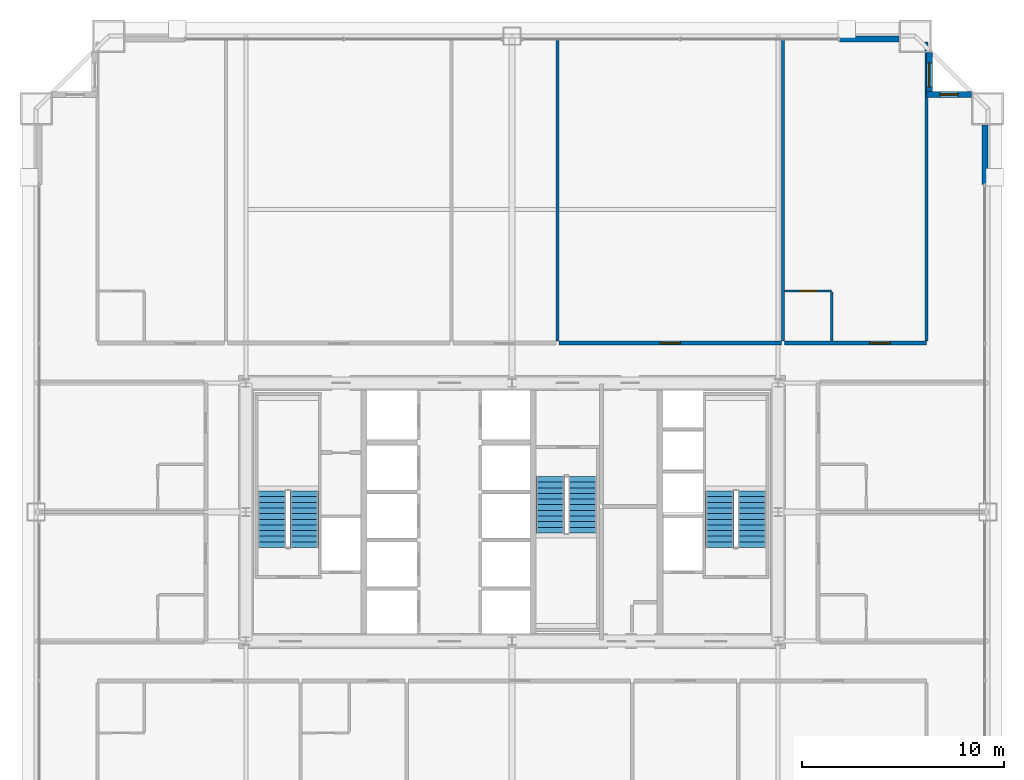
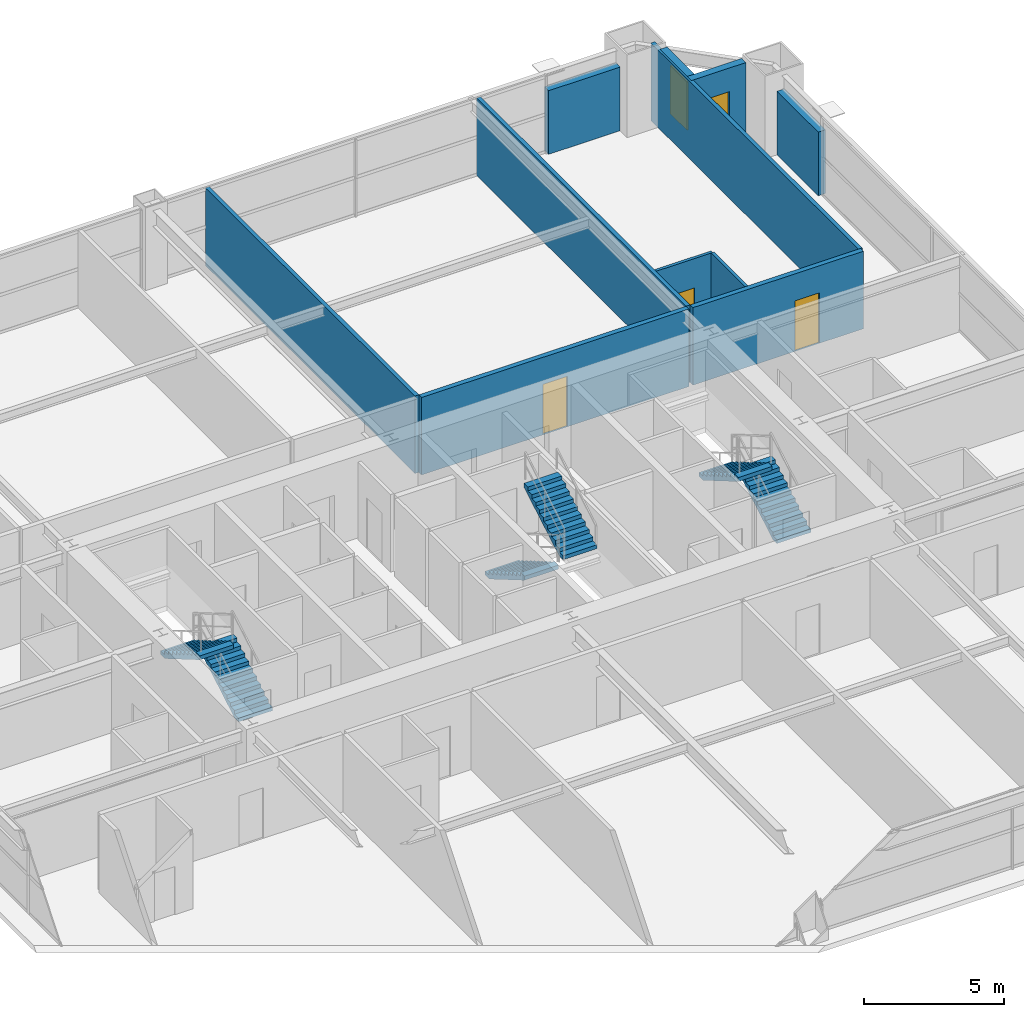
# One storey, part 38 of 39: 11 walls, 6 stair flights, 3 doors, 2 windows, 5 openings, 3 elements without a shape of their own.
"""IFC4 building model written with IfcOpenShell, lengths in metres."""

from ifc_helpers import new_model, si_unit, direction, frame, frame_2d, origin, place, context, subcontext, project, spatial, polyline, rectangle, outline, extrude, source, transform, mapped, material, layer, layer_set, type_object, element, fill, aggregate, save


model = new_model("IFC4")

# Units and contexts
model_context = context("Model", 3, precision=1e-05, world=origin(), true_north=direction((0.0, 1.0)))
body_context = subcontext(model_context, "Body", "Model", "MODEL_VIEW")
ifc_project = project(units=[si_unit("LENGTHUNIT", "METRE"), si_unit("AREAUNIT", "SQUARE_METRE"), si_unit("VOLUMEUNIT", "CUBIC_METRE"), si_unit("PLANEANGLEUNIT", "RADIAN"), si_unit("MASSUNIT", "GRAM", prefix="KILO"), si_unit("THERMODYNAMICTEMPERATUREUNIT", "KELVIN"), si_unit("POWERUNIT", "WATT")], contexts=[model_context])

# Site, building, storey
site_placement = place(None, origin())
site = spatial("IfcSite", under=ifc_project, at=site_placement, CompositionType="ELEMENT")
building_placement = place(site_placement, origin())
building = spatial("IfcBuilding", under=site, at=building_placement, Name="Yuzanri Waterfront Tower", CompositionType="ELEMENT")
storey_placement = place(building_placement, frame((0.0, 0.0, 134.39990234375)))
storey = spatial("IfcBuildingStorey", under=building, at=storey_placement, Name="L35", CompositionType="ELEMENT", Elevation=134.39990234375)

# Wall, opening, door
ifc_material_1 = material(Name="Moisture-Resistant Gypsum Stud Wall", Category="gypsum")
ifc_layer_1 = layer(ifc_material_1, 0.1201171875)
ifc_layer_set_1 = layer_set([ifc_layer_1], Name="Moisture-Resistant Gypsum Stud Wall")
wall_type_1 = type_object("IfcWallType", Name="Bathroom and Kitchen Wet Partition 120", PredefinedType="PARTITIONING", material=ifc_layer_set_1)
wall_1_placement = place(storey_placement, frame((50.52587890625, 36.760009765625, 0.0), z_axis=(0.0, 0.0, 1.0), x_axis=(1.0, 0.0, 0.0)))
wall_1 = element("IfcWall", 1, at=wall_1_placement, inside=storey, type_object=wall_type_1, Name="L35 Partition UW-L35-N5-BN", PredefinedType="PARTITIONING", context=body_context, shape_type="SweptSolid", body=[
    extrude(rectangle(XDim=2.330078125, YDim=0.1201171875, at=frame_2d((1.1650390625, 0.0))), origin(), (0.0, 0.0, 1.0), 3.380126953125),
])
opening_1_placement = place(wall_1_placement, frame((0.739990234375, 0.0, 0.0)))
opening_1 = element("IfcOpeningElement", 2, at=opening_1_placement, cuts=wall_1, Name="Opening ID-0850", PredefinedType="OPENING", context=body_context, shape_type="SweptSolid", body=[
    extrude(rectangle(XDim=0.85009765625, YDim=2.10009765625, at=frame_2d((0.425048828125, 1.050048828125))), frame((0.0, 0.074951171875, 0.0), z_axis=(0.0, -1.0, 0.0), x_axis=(1.0, 0.0, 0.0)), (0.0, 0.0, 1.0), 0.14990234375),
])
ifc_material_2 = material(Name="Moisture-Resistant Lacquered Timber", Category="wood")
door_type_1 = type_object("IfcDoorType", Name="En-Suite Bathroom and Kitchen Swing Door 850x2100", OperationType="NOTDEFINED", PredefinedType="DOOR", material=ifc_material_2)
shared_shape_1 = source(origin(), body_context, "Body", "SweptSolid", [
    extrude(rectangle(XDim=0.85009765625, YDim=2.10009765625, at=frame_2d((0.425048828125, 1.050048828125))), frame((0.0, 0.02490234375, 0.0), z_axis=(0.0, -1.0, 0.0), x_axis=(1.0, 0.0, 0.0)), (0.0, 0.0, 1.0), 0.050048828125),
])
door_1_placement = place(opening_1_placement, origin())
door_1 = element("IfcDoor", 3, at=door_1_placement, inside=storey, type_object=door_type_1, Name="L35 Guest En-Suite Door", OperationType="SINGLE_SWING_RIGHT", OverallHeight=2.10009765625, OverallWidth=0.85009765625, PredefinedType="DOOR", context=body_context, shape_type="MappedRepresentation", body=[
    mapped(shared_shape_1, transform((0.0, 0.0, 0.0), scale=1.0)),
])
fill(opening_1, door_1)

# Wall, opening, window
ifc_material_3 = material(Name="Honed Chongqing Dark Basalt Stone", Category="masonry")
ifc_layer_2 = layer(ifc_material_3, 0.300048828125)
ifc_layer_set_2 = layer_set([ifc_layer_2], Name="Honed Chongqing Dark Basalt Stone")
wall_type_2 = type_object("IfcWallType", Name="Bronze Rainscreen Insulated Spandrel Portal Wall 300", PredefinedType="SOLIDWALL", material=ifc_layer_set_2)
wall_2_placement = place(storey_placement, frame((59.800048828125, 46.5, 0.0), z_axis=(0.0, 0.0, 1.0), x_axis=(-1.0, 0.0, 0.0)))
wall_2 = element("IfcWall", 4, at=wall_2_placement, inside=storey, type_object=wall_type_2, Name="L35 Notched Corner Masonry Wall NE-X", PredefinedType="SOLIDWALL", context=body_context, shape_type="SweptSolid", body=[
    extrude(rectangle(XDim=2.25, YDim=0.300048828125, at=frame_2d((1.125, 0.0))), origin(), (0.0, 0.0, 1.0), 3.380126953125),
])
opening_2_placement = place(wall_2_placement, frame((0.675048828125, 0.0, 0.85009765625)))
opening_2 = element("IfcOpeningElement", 5, at=opening_2_placement, cuts=wall_2, Name="Opening WN-05", PredefinedType="OPENING", context=body_context, shape_type="SweptSolid", body=[
    extrude(rectangle(XDim=0.89990234375, YDim=1.5, at=frame_2d((0.449951171875, 0.75))), frame((0.0, 0.1650390625, 0.0), z_axis=(0.0, -1.0, 0.0), x_axis=(1.0, 0.0, 0.0)), (0.0, 0.0, 1.0), 0.329833984375),
])
ifc_material_4 = material(Name="Double-Silver Low-E Insulated Glass", Category="glass")
window_type_1 = type_object("IfcWindowType", Name="Anodized Bronze Service and Stairwell Smoke-Vent Window 900x1500", PartitioningType="SINGLE_PANEL", PredefinedType="WINDOW", material=ifc_material_4)
shared_shape_2 = source(origin(), body_context, "Body", "SweptSolid", [
    extrude(rectangle(XDim=0.89990234375, YDim=1.5, at=frame_2d((0.449951171875, 0.75))), frame((0.0, 0.030029296875, 0.0), z_axis=(0.0, -1.0, 0.0), x_axis=(1.0, 0.0, 0.0)), (0.0, 0.0, 1.0), 0.06005859375),
])
window_1_placement = place(opening_2_placement, origin())
window_1 = element("IfcWindow", 6, at=window_1_placement, inside=storey, type_object=window_type_1, Name="L35 Notched Corner Window NE-X", OverallHeight=1.5, OverallWidth=0.89990234375, PartitioningType="SINGLE_PANEL", PredefinedType="WINDOW", context=body_context, shape_type="MappedRepresentation", body=[
    mapped(shared_shape_2, transform((0.0, 0.0, 0.0), scale=1.0)),
])
fill(opening_2, window_1)

wall_3_placement = place(storey_placement, frame((57.699951171875, 46.35009765625, 0.0), z_axis=(0.0, 0.0, 1.0), x_axis=(0.0, 1.0, 0.0)))
wall_3 = element("IfcWall", 7, at=wall_3_placement, inside=storey, type_object=wall_type_2, Name="L35 Notched Corner Masonry Wall NE-Y", PredefinedType="SOLIDWALL", context=body_context, shape_type="SweptSolid", body=[
    extrude(rectangle(XDim=2.25, YDim=0.300048828125, at=frame_2d((1.125, 0.0))), origin(), (0.0, 0.0, 1.0), 3.380126953125),
])
opening_3_placement = place(wall_3_placement, frame((0.52490234375, 0.0, 0.85009765625)))
opening_3 = element("IfcOpeningElement", 8, at=opening_3_placement, cuts=wall_3, Name="Opening WN-02", PredefinedType="OPENING", context=body_context, shape_type="SweptSolid", body=[
    extrude(rectangle(XDim=1.199951171875, YDim=2.10009765625, at=frame_2d((0.60009765625, 1.050048828125))), frame((0.0, 0.1650390625, 0.0), z_axis=(0.0, -1.0, 0.0), x_axis=(1.0, 0.0, 0.0)), (0.0, 0.0, 1.0), 0.329833984375),
])
ifc_material_5 = material(Name="Double-Silver Low-E Insulated Glass", Category="glass")
window_type_2 = type_object("IfcWindowType", Name="Anodized Bronze Notched Corner Deep-Set Slot Window 1200x2100", PartitioningType="SINGLE_PANEL", PredefinedType="WINDOW", material=ifc_material_5)
shared_shape_3 = source(origin(), body_context, "Body", "SweptSolid", [
    extrude(rectangle(XDim=1.199951171875, YDim=2.10009765625, at=frame_2d((0.60009765625, 1.050048828125))), frame((0.0, 0.030029296875, 0.0), z_axis=(0.0, -1.0, 0.0), x_axis=(1.0, 0.0, 0.0)), (0.0, 0.0, 1.0), 0.06005859375),
])
window_2_placement = place(opening_3_placement, origin())
window_2 = element("IfcWindow", 9, at=window_2_placement, inside=storey, type_object=window_type_2, Name="L35 Notched Corner Window NE-Y", OverallHeight=2.10009765625, OverallWidth=1.199951171875, PartitioningType="SINGLE_PANEL", PredefinedType="WINDOW", context=body_context, shape_type="MappedRepresentation", body=[
    mapped(shared_shape_3, transform((0.0, 0.0, 0.0), scale=1.0)),
])
fill(opening_3, window_2)

# Wall, opening, door
ifc_material_6 = material(Name="Autoclaved Aerated Concrete Blockwork", Category="masonry")
ifc_layer_3 = layer(ifc_material_6, 0.199951171875)
ifc_layer_set_3 = layer_set([ifc_layer_3], Name="Autoclaved Aerated Concrete Blockwork")
wall_type_3 = type_object("IfcWallType", Name="Corridor and Unit Party Fire Wall 200", PredefinedType="PARTITIONING", material=ifc_layer_set_3)
wall_4_placement = place(storey_placement, frame((39.342041015625, 34.179931640625, 0.0), z_axis=(0.0, 0.0, 1.0), x_axis=(1.0, 0.0, 0.0)))
wall_4 = element("IfcWall", 10, at=wall_4_placement, inside=storey, type_object=wall_type_3, Name="L35 Partition UW-L35-N4-CS", PredefinedType="PARTITIONING", context=body_context, shape_type="SweptSolid", body=[
    extrude(rectangle(XDim=11.02392578125, YDim=0.199951171875, at=frame_2d((5.511962890625, 0.0))), origin(), (0.0, 0.0, 1.0), 3.380126953125),
])
opening_4_placement = place(wall_4_placement, frame((5.011962890625, 0.0, 0.0)))
opening_4 = element("IfcOpeningElement", 11, at=opening_4_placement, cuts=wall_4, Name="Opening FD-1000", PredefinedType="OPENING", context=body_context, shape_type="SweptSolid", body=[
    extrude(rectangle(XDim=1.0, YDim=2.199951171875, at=frame_2d((0.5, 1.10009765625))), frame((0.0, 0.11474609375, 0.0), z_axis=(0.0, -1.0, 0.0), x_axis=(1.0, 0.0, 0.0)), (0.0, 0.0, 1.0), 0.229736328125),
])
ifc_material_7 = material(Name="Engineered Oak Fire-Rated Timber", Category="wood")
door_type_2 = type_object("IfcDoorType", Name="Guestroom and Apartment Entrance Fire Door 1000x2200", OperationType="NOTDEFINED", PredefinedType="DOOR", material=ifc_material_7)
shared_shape_4 = source(origin(), body_context, "Body", "SweptSolid", [
    extrude(rectangle(XDim=1.0, YDim=2.199951171875, at=frame_2d((0.5, 1.10009765625))), frame((0.0, 0.02490234375, 0.0), z_axis=(0.0, -1.0, 0.0), x_axis=(1.0, 0.0, 0.0)), (0.0, 0.0, 1.0), 0.050048828125),
])
door_2_placement = place(opening_4_placement, origin())
door_2 = element("IfcDoor", 12, at=door_2_placement, inside=storey, type_object=door_type_2, Name="L35 Meeting Room 3 Entrance Door", OperationType="SINGLE_SWING_RIGHT", OverallHeight=2.199951171875, OverallWidth=1.0, PredefinedType="DOOR", context=body_context, shape_type="MappedRepresentation", body=[
    mapped(shared_shape_4, transform((0.0, 0.0, 0.0), scale=1.0)),
])
fill(opening_4, door_2)

wall_5_placement = place(storey_placement, frame((50.52587890625, 34.179931640625, 0.0), z_axis=(0.0, 0.0, 1.0), x_axis=(1.0, 0.0, 0.0)))
wall_5 = element("IfcWall", 13, at=wall_5_placement, inside=storey, type_object=wall_type_3, Name="L35 Partition UW-L35-N5-CS", PredefinedType="PARTITIONING", context=body_context, shape_type="SweptSolid", body=[
    extrude(rectangle(XDim=7.0341796875, YDim=0.199951171875, at=frame_2d((3.51708984375, 0.0))), origin(), (0.0, 0.0, 1.0), 3.380126953125),
])
opening_5_placement = place(wall_5_placement, frame((4.221923828125, 0.0, 0.0)))
opening_5 = element("IfcOpeningElement", 14, at=opening_5_placement, cuts=wall_5, Name="Opening FD-1000", PredefinedType="OPENING", context=body_context, shape_type="SweptSolid", body=[
    extrude(rectangle(XDim=1.0, YDim=2.199951171875, at=frame_2d((0.5, 1.10009765625))), frame((0.0, 0.11474609375, 0.0), z_axis=(0.0, -1.0, 0.0), x_axis=(1.0, 0.0, 0.0)), (0.0, 0.0, 1.0), 0.229736328125),
])
door_3_placement = place(opening_5_placement, origin())
door_3 = element("IfcDoor", 15, at=door_3_placement, inside=storey, type_object=door_type_2, Name="L35 Cityview Suite Entrance Door", OperationType="SINGLE_SWING_LEFT", OverallHeight=2.199951171875, OverallWidth=1.0, PredefinedType="DOOR", context=body_context, shape_type="MappedRepresentation", body=[
    mapped(shared_shape_4, transform((0.0, 0.0, 0.0), scale=1.0)),
])
fill(opening_5, door_3)

# Walls
shared_shape_5 = source(origin(), body_context, "Body", "SweptSolid", [
    extrude(rectangle(XDim=2.949951171875, YDim=0.300048828125, at=frame_2d((1.47509765625, 0.0))), origin(), (0.0, 0.0, 1.0), 2.775146484375),
])
for number, where, z_axis, x_axis, name in (
    (16, (53.25, 49.25, 0.0), (0.0, 0.0, 1.0), (1.0, 0.0, 0.0), "L35 N Right Braced Masonry Shoulder"),
    (17, (60.449951171875, 42.050048828125, 0.0), (0.0, 0.0, 1.0), (0.0, 1.0, 0.0), "L35 E Right Braced Masonry Shoulder"),
):
    element("IfcWall", number, at=place(storey_placement, frame(where, z_axis=z_axis, x_axis=x_axis)), inside=storey, type_object=wall_type_2, Name=name, PredefinedType="SOLIDWALL", context=body_context, shape_type="MappedRepresentation", body=[
        mapped(shared_shape_5, transform((0.0, 0.0, 0.0), scale=1.0)),
    ])
shared_shape_6 = source(origin(), body_context, "Body", "SweptSolid", [
    extrude(rectangle(XDim=2.419921875, YDim=0.1201171875, at=frame_2d((1.2099609375, 0.0))), origin(), (0.0, 0.0, 1.0), 3.380126953125),
])
wall_6_placement = place(storey_placement, frame((52.85595703125, 34.280029296875, 0.0), z_axis=(0.0, 0.0, 1.0), x_axis=(0.0, 1.0, 0.0)))
element("IfcWall", 18, at=wall_6_placement, inside=storey, type_object=wall_type_1, Name="L35-N5 En-Suite Side Wall", PredefinedType="PARTITIONING", context=body_context, shape_type="MappedRepresentation", body=[
    mapped(shared_shape_6, transform((0.0, 0.0, 0.0), scale=1.0)),
])
ifc_material_8 = material(Name="Gypsum Fireboard Acoustic Stud Wall", Category="gypsum")
ifc_layer_4 = layer(ifc_material_8, 0.159912109375)
ifc_layer_set_4 = layer_set([ifc_layer_4], Name="Gypsum Fireboard Acoustic Stud Wall")
wall_type_4 = type_object("IfcWallType", Name="Acoustic Suite Demising Partition 160", PredefinedType="PARTITIONING", material=ifc_layer_set_4)
shared_shape_7 = source(origin(), body_context, "Body", "SweptSolid", [
    extrude(rectangle(XDim=14.969970703125, YDim=0.159912109375, at=frame_2d((7.48486328125, 0.0))), origin(), (0.0, 0.0, 1.0), 3.380126953125),
])
for number, where, z_axis, x_axis, name in (
    (19, (39.261962890625, 34.280029296875, 0.0), (0.0, 0.0, 1.0), (0.0, 1.0, 0.0), "L35-N3 Party Wall"),
    (20, (50.446044921875, 34.280029296875, 0.0), (0.0, 0.0, 1.0), (0.0, 1.0, 0.0), "L35-N4 Party Wall"),
):
    element("IfcWall", number, at=place(storey_placement, frame(where, z_axis=z_axis, x_axis=x_axis)), inside=storey, type_object=wall_type_4, Name=name, PredefinedType="PARTITIONING", context=body_context, shape_type="MappedRepresentation", body=[
        mapped(shared_shape_7, transform((0.0, 0.0, 0.0), scale=1.0)),
    ])
shared_shape_8 = source(origin(), body_context, "Body", "SweptSolid", [
    extrude(rectangle(XDim=14.820068359375, YDim=0.159912109375, at=frame_2d((7.41015625, 0.0))), origin(), (0.0, 0.0, 1.0), 3.380126953125),
])
wall_7_placement = place(storey_placement, frame((57.550048828125, 34.280029296875, 0.0), z_axis=(0.0, 0.0, 1.0), x_axis=(0.0, 1.0, 0.0)))
element("IfcWall", 21, at=wall_7_placement, inside=storey, type_object=wall_type_4, Name="L35 North Band East End Wall", PredefinedType="PARTITIONING", context=body_context, shape_type="MappedRepresentation", body=[
    mapped(shared_shape_8, transform((0.0, 0.0, 0.0), scale=1.0)),
])

# Stair, stair flights
ifc_material_9 = material(Name="Concrete C40", Category="concrete")
stair_type = type_object("IfcStairType", Name="Concrete C40 Core Dogleg Exit Stair", PredefinedType="HALF_TURN_STAIR", material=ifc_material_9)
stair_1_placement = place(storey_placement, origin())
stair_1 = element("IfcStair", 22, at=stair_1_placement, inside=storey, type_object=stair_type, Name="L35 Smoke-Proof Core Stair ST-01", PredefinedType="HALF_TURN_STAIR")
ifc_material_10 = material(Name="Concrete C40", Category="concrete")
stair_flight_type = type_object("IfcStairFlightType", Name="Concrete C40 Precast Stair Flight 1380", PredefinedType="STRAIGHT", material=ifc_material_10)
shared_shape_9 = source(origin(), body_context, "Body", "SweptSolid", [
    extrude(outline(polyline([(0.0, 0.0), (0.0, 0.16357421875), (0.280029296875, 0.16357421875), (0.280029296875, 0.327392578125), (0.56005859375, 0.327392578125), (0.56005859375, 0.490966796875), (0.840087890625, 0.490966796875), (0.840087890625, 0.654541015625), (1.1201171875, 0.654541015625), (1.1201171875, 0.818115234375), (1.39990234375, 0.818115234375), (1.39990234375, 0.98193359375), (1.679931640625, 0.98193359375), (1.679931640625, 1.1455078125), (1.9599609375, 1.1455078125), (1.9599609375, 1.30908203125), (2.239990234375, 1.30908203125), (2.239990234375, 1.47265625), (2.52001953125, 1.47265625), (2.52001953125, 1.636474609375), (2.800048828125, 1.636474609375), (2.800048828125, 1.800048828125), (2.800048828125, 1.462646484375), (0.297119140625, 0.0), (0.0, 0.0)])), frame((0.0, 0.699951171875, 0.0), z_axis=(0.0, -1.0, 0.0), x_axis=(1.0, 0.0, 0.0)), (0.0, 0.0, 1.0), 1.39990234375),
])
stair_flight_1_placement = place(storey_placement, frame((26.699951171875, 24.0400390625, 0.0), z_axis=(0.0, 0.0, 1.0), x_axis=(0.0, 1.0, 0.0)))
stair_flight_1 = element("IfcStairFlight", 23, at=stair_flight_1_placement, type_object=stair_flight_type, Name="ST-01 flight 1", NumberOfRisers=11, NumberOfTreads=10, PredefinedType="STRAIGHT", RiserHeight=0.163636364, TreadLength=0.28, context=body_context, shape_type="MappedRepresentation", body=[
    mapped(shared_shape_9, transform((0.0, 0.0, 0.0), scale=1.0)),
])
stair_flight_2_placement = place(storey_placement, frame((25.10009765625, 26.840087890625, 1.800048828125), z_axis=(0.0, 0.0, 1.0), x_axis=(0.0, -1.0, 0.0)))
stair_flight_2 = element("IfcStairFlight", 24, at=stair_flight_2_placement, type_object=stair_flight_type, Name="ST-01 flight 2", NumberOfRisers=11, NumberOfTreads=10, PredefinedType="STRAIGHT", RiserHeight=0.163636364, TreadLength=0.28, context=body_context, shape_type="MappedRepresentation", body=[
    mapped(shared_shape_9, transform((0.0, 0.0, 0.0), scale=1.0)),
])
aggregate(stair_1, [stair_flight_1, stair_flight_2])

stair_2_placement = place(storey_placement, origin())
stair_2 = element("IfcStair", 25, at=stair_2_placement, inside=storey, type_object=stair_type, Name="L35 Smoke-Proof Core Stair ST-02", PredefinedType="HALF_TURN_STAIR")
stair_flight_3_placement = place(storey_placement, frame((48.89990234375, 24.0400390625, 0.0), z_axis=(0.0, 0.0, 1.0), x_axis=(0.0, 1.0, 0.0)))
stair_flight_3 = element("IfcStairFlight", 26, at=stair_flight_3_placement, type_object=stair_flight_type, Name="ST-02 flight 1", NumberOfRisers=11, NumberOfTreads=10, PredefinedType="STRAIGHT", RiserHeight=0.163636364, TreadLength=0.28, context=body_context, shape_type="MappedRepresentation", body=[
    mapped(shared_shape_9, transform((0.0, 0.0, 0.0), scale=1.0)),
])
stair_flight_4_placement = place(storey_placement, frame((47.300048828125, 26.840087890625, 1.800048828125), z_axis=(0.0, 0.0, 1.0), x_axis=(0.0, -1.0, 0.0)))
stair_flight_4 = element("IfcStairFlight", 27, at=stair_flight_4_placement, type_object=stair_flight_type, Name="ST-02 flight 2", NumberOfRisers=11, NumberOfTreads=10, PredefinedType="STRAIGHT", RiserHeight=0.163636364, TreadLength=0.28, context=body_context, shape_type="MappedRepresentation", body=[
    mapped(shared_shape_9, transform((0.0, 0.0, 0.0), scale=1.0)),
])
aggregate(stair_2, [stair_flight_3, stair_flight_4])

stair_3_placement = place(storey_placement, origin())
stair_3 = element("IfcStair", 28, at=stair_3_placement, inside=storey, type_object=stair_type, Name="L35 Smoke-Proof Core Stair ST-03", PredefinedType="HALF_TURN_STAIR")
stair_flight_5_placement = place(storey_placement, frame((38.89990234375, 27.56005859375, 0.0), z_axis=(0.0, 0.0, 1.0), x_axis=(0.0, -1.0, 0.0)))
stair_flight_5 = element("IfcStairFlight", 29, at=stair_flight_5_placement, type_object=stair_flight_type, Name="ST-03 flight 1", NumberOfRisers=11, NumberOfTreads=10, PredefinedType="STRAIGHT", RiserHeight=0.163636364, TreadLength=0.28, context=body_context, shape_type="MappedRepresentation", body=[
    mapped(shared_shape_9, transform((0.0, 0.0, 0.0), scale=1.0)),
])
stair_flight_6_placement = place(storey_placement, frame((40.5, 24.760009765625, 1.800048828125), z_axis=(0.0, 0.0, 1.0), x_axis=(0.0, 1.0, 0.0)))
stair_flight_6 = element("IfcStairFlight", 30, at=stair_flight_6_placement, type_object=stair_flight_type, Name="ST-03 flight 2", NumberOfRisers=11, NumberOfTreads=10, PredefinedType="STRAIGHT", RiserHeight=0.163636364, TreadLength=0.28, context=body_context, shape_type="MappedRepresentation", body=[
    mapped(shared_shape_9, transform((0.0, 0.0, 0.0), scale=1.0)),
])
aggregate(stair_3, [stair_flight_5, stair_flight_6])

save(model, "model.ifc")
